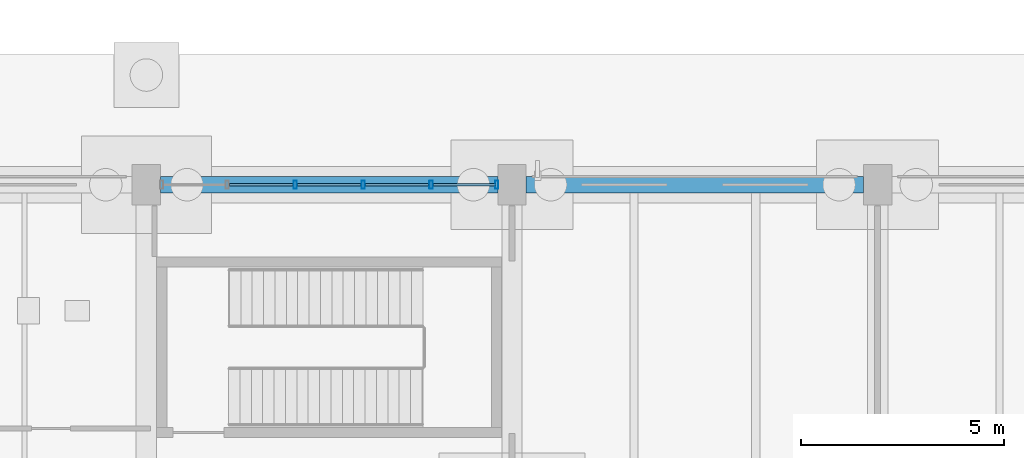
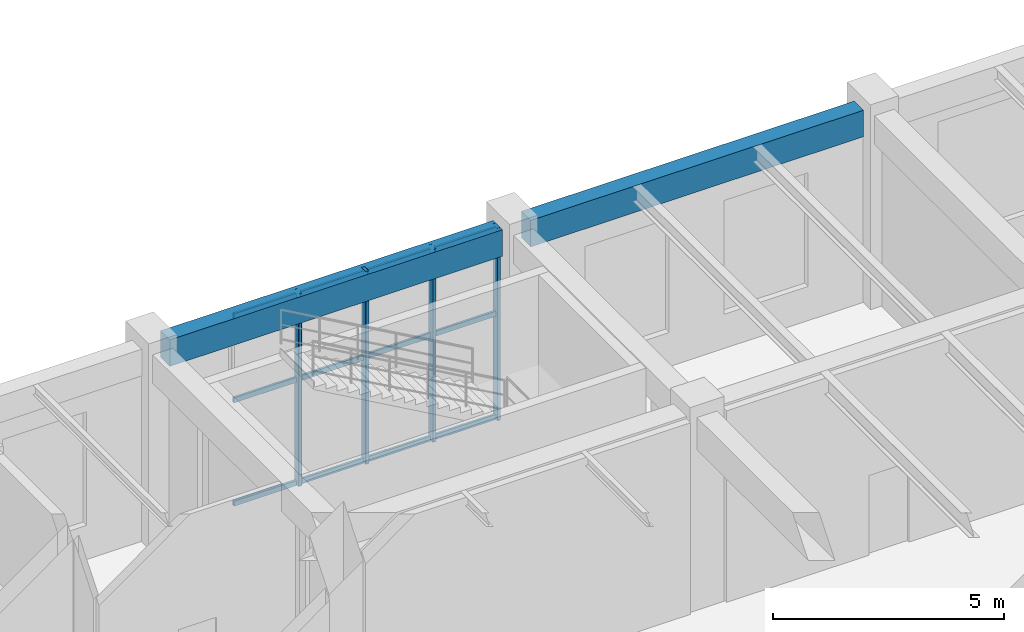
# One storey, part 42 of 121: 16 members, 2 beams, 1 element without a shape of its own.
"""IFC4 building model written with IfcOpenShell, lengths in metres."""

from ifc_helpers import new_model, si_unit, derived_unit, direction, frame, origin, origin_2d, place, context, subcontext, project, spatial, rectangle, hollow_rectangle, extrude, material, material_profile, profile_set, type_object, element, aggregate, save


model = new_model("IFC4")

# Units and contexts
model_context = context("Model", 3, precision=1e-05, world=origin(), true_north=direction((0.0, 1.0)))
body_context = subcontext(model_context, "Body", "Model", "MODEL_VIEW")
ifc_project = project(units=[si_unit("LENGTHUNIT", "METRE"), si_unit("AREAUNIT", "SQUARE_METRE"), si_unit("VOLUMEUNIT", "CUBIC_METRE"), si_unit("PLANEANGLEUNIT", "RADIAN"), si_unit("MASSUNIT", "GRAM", prefix="KILO"), derived_unit("THERMALTRANSMITTANCEUNIT", [(si_unit("MASSUNIT", "GRAM", prefix="KILO"), 1), (si_unit("TIMEUNIT", "SECOND"), -3), (si_unit("THERMODYNAMICTEMPERATUREUNIT", "KELVIN"), -1)])], contexts=[model_context])

# Site, building, storey
site_placement = place(None, origin())
site = spatial("IfcSite", under=ifc_project, at=site_placement, CompositionType="ELEMENT")
building_placement = place(site_placement, origin())
building = spatial("IfcBuilding", under=site, at=building_placement, Name="Zhenchuan Archway Interchange", CompositionType="ELEMENT")
storey_placement = place(building_placement, origin())
storey = spatial("IfcBuildingStorey", under=building, at=storey_placement, Name="L00", CompositionType="ELEMENT", Elevation=0.0)

# Curtain wall, members
ifc_material_1 = material(Name="Anodised Aluminium", Category="aluminium")
curtain_wall_type = type_object("IfcCurtainWallType", Name="CW_UNIT_2", PredefinedType="NOTDEFINED", material=ifc_material_1)
curtain_wall_placement = place(storey_placement, origin())
curtain_wall = element("IfcCurtainWall", 1, at=curtain_wall_placement, inside=storey, type_object=curtain_wall_type, Name="Unitised curtain wall CW:L00:005", PredefinedType="NOTDEFINED")
ifc_material_profile_1 = material_profile(ifc_material_1, hollow_rectangle(XDim=0.080078125, YDim=0.199951171875, WallThickness=0.00439453125, InnerFilletRadius=0.00439453125, OuterFilletRadius=0.009033203125, at=origin_2d()), Name="ALU 200x80x4.5")
ifc_profile_set_1 = profile_set([ifc_material_profile_1], Name="Anodised Aluminium")
member_type_1 = type_object("IfcMemberType", Name="CW_MUL_200", PredefinedType="MULLION", material=ifc_profile_set_1)
member_1_placement = place(storey_placement, frame((30.66357421875, 112.0, 0.0), z_axis=(0.0, 0.0, 1.0), x_axis=(1.0, 0.0, 0.0)))
member_1 = element("IfcMember", 2, at=member_1_placement, type_object=member_type_1, Name="CW:L00:005 mullion 2", PredefinedType="MULLION", context=body_context, shape_type="SweptSolid", body=[
    extrude(hollow_rectangle(XDim=0.080078125, YDim=0.199951171875, WallThickness=0.00439453125, InnerFilletRadius=0.00439453125, OuterFilletRadius=0.009033203125, at=origin_2d()), origin(), (0.0, 0.0, 1.0), 5.080078125),
])
member_2_placement = place(storey_placement, frame((32.33642578125, 112.0, 0.0), z_axis=(0.0, 0.0, 1.0), x_axis=(1.0, 0.0, 0.0)))
member_2 = element("IfcMember", 3, at=member_2_placement, type_object=member_type_1, Name="CW:L00:005 mullion 3", PredefinedType="MULLION", context=body_context, shape_type="SweptSolid", body=[
    extrude(hollow_rectangle(XDim=0.080078125, YDim=0.199951171875, WallThickness=0.00439453125, InnerFilletRadius=0.00439453125, OuterFilletRadius=0.009033203125, at=origin_2d()), origin(), (0.0, 0.0, 1.0), 5.080078125),
])
member_3_placement = place(storey_placement, frame((34.00927734375, 112.0, 0.0), z_axis=(0.0, 0.0, 1.0), x_axis=(1.0, 0.0, 0.0)))
member_3 = element("IfcMember", 4, at=member_3_placement, type_object=member_type_1, Name="CW:L00:005 mullion 4", PredefinedType="MULLION", context=body_context, shape_type="SweptSolid", body=[
    extrude(hollow_rectangle(XDim=0.080078125, YDim=0.199951171875, WallThickness=0.00439453125, InnerFilletRadius=0.00439453125, OuterFilletRadius=0.009033203125, at=origin_2d()), origin(), (0.0, 0.0, 1.0), 5.080078125),
])
member_4_placement = place(storey_placement, frame((35.6220703125, 112.0, 0.0), z_axis=(0.0, 0.0, 1.0), x_axis=(1.0, 0.0, 0.0)))
member_4 = element("IfcMember", 5, at=member_4_placement, type_object=member_type_1, Name="CW:L00:005 mullion 5", PredefinedType="MULLION", context=body_context, shape_type="SweptSolid", body=[
    extrude(hollow_rectangle(XDim=0.080078125, YDim=0.199951171875, WallThickness=0.00439453125, InnerFilletRadius=0.00439453125, OuterFilletRadius=0.009033203125, at=origin_2d()), origin(), (0.0, 0.0, 1.0), 5.080078125),
])
ifc_material_profile_2 = material_profile(ifc_material_1, hollow_rectangle(XDim=0.06005859375, YDim=0.139892578125, WallThickness=0.00341796875, InnerFilletRadius=0.00341796875, OuterFilletRadius=0.007080078125, at=origin_2d()), Name="ALU 140x60x3.5")
ifc_profile_set_2 = profile_set([ifc_material_profile_2], Name="Anodised Aluminium")
member_type_2 = type_object("IfcMemberType", Name="CW_TRN_140", PredefinedType="USERDEFINED", material=ifc_profile_set_2)
member_5_placement = place(storey_placement, frame((29.05078125, 112.0, 0.06005859375), z_axis=(1.0, 0.0, 0.0), x_axis=(0.0, 1.0, 0.0)))
member_5 = element("IfcMember", 6, at=member_5_placement, type_object=member_type_2, Name="CW:L00:005 transom 1-1", ObjectType="TRANSOM", PredefinedType="USERDEFINED", context=body_context, shape_type="SweptSolid", body=[
    extrude(hollow_rectangle(XDim=0.06005859375, YDim=0.139892578125, WallThickness=0.00341796875, InnerFilletRadius=0.00341796875, OuterFilletRadius=0.007080078125, at=origin_2d()), origin(), (0.0, 0.0, 1.0), 1.552734375),
])
member_6_placement = place(storey_placement, frame((29.05078125, 112.0, 2.782958984375), z_axis=(1.0, 0.0, 0.0), x_axis=(0.0, 1.0, 0.0)))
member_6 = element("IfcMember", 7, at=member_6_placement, type_object=member_type_2, Name="CW:L00:005 transom 1-2", ObjectType="TRANSOM", PredefinedType="USERDEFINED", context=body_context, shape_type="SweptSolid", body=[
    extrude(hollow_rectangle(XDim=0.06005859375, YDim=0.139892578125, WallThickness=0.00341796875, InnerFilletRadius=0.00341796875, OuterFilletRadius=0.007080078125, at=origin_2d()), origin(), (0.0, 0.0, 1.0), 1.552734375),
])
member_7_placement = place(storey_placement, frame((29.05078125, 112.0, 5.0), z_axis=(1.0, 0.0, 0.0), x_axis=(0.0, 1.0, 0.0)))
member_7 = element("IfcMember", 8, at=member_7_placement, type_object=member_type_2, Name="CW:L00:005 transom 1-3", ObjectType="TRANSOM", PredefinedType="USERDEFINED", context=body_context, shape_type="SweptSolid", body=[
    extrude(hollow_rectangle(XDim=0.06005859375, YDim=0.139892578125, WallThickness=0.00341796875, InnerFilletRadius=0.00341796875, OuterFilletRadius=0.007080078125, at=origin_2d()), origin(), (0.0, 0.0, 1.0), 1.552734375),
])
member_8_placement = place(storey_placement, frame((30.7236328125, 112.0, 0.06005859375), z_axis=(1.0, 0.0, 0.0), x_axis=(0.0, 1.0, 0.0)))
member_8 = element("IfcMember", 9, at=member_8_placement, type_object=member_type_2, Name="CW:L00:005 transom 2-1", ObjectType="TRANSOM", PredefinedType="USERDEFINED", context=body_context, shape_type="SweptSolid", body=[
    extrude(hollow_rectangle(XDim=0.06005859375, YDim=0.139892578125, WallThickness=0.00341796875, InnerFilletRadius=0.00341796875, OuterFilletRadius=0.007080078125, at=origin_2d()), origin(), (0.0, 0.0, 1.0), 1.552734375),
])
member_9_placement = place(storey_placement, frame((30.7236328125, 112.0, 2.782958984375), z_axis=(1.0, 0.0, 0.0), x_axis=(0.0, 1.0, 0.0)))
member_9 = element("IfcMember", 10, at=member_9_placement, type_object=member_type_2, Name="CW:L00:005 transom 2-2", ObjectType="TRANSOM", PredefinedType="USERDEFINED", context=body_context, shape_type="SweptSolid", body=[
    extrude(hollow_rectangle(XDim=0.06005859375, YDim=0.139892578125, WallThickness=0.00341796875, InnerFilletRadius=0.00341796875, OuterFilletRadius=0.007080078125, at=origin_2d()), origin(), (0.0, 0.0, 1.0), 1.552734375),
])
member_10_placement = place(storey_placement, frame((30.7236328125, 112.0, 5.0), z_axis=(1.0, 0.0, 0.0), x_axis=(0.0, 1.0, 0.0)))
member_10 = element("IfcMember", 11, at=member_10_placement, type_object=member_type_2, Name="CW:L00:005 transom 2-3", ObjectType="TRANSOM", PredefinedType="USERDEFINED", context=body_context, shape_type="SweptSolid", body=[
    extrude(hollow_rectangle(XDim=0.06005859375, YDim=0.139892578125, WallThickness=0.00341796875, InnerFilletRadius=0.00341796875, OuterFilletRadius=0.007080078125, at=origin_2d()), origin(), (0.0, 0.0, 1.0), 1.552734375),
])
member_11_placement = place(storey_placement, frame((32.396484375, 112.0, 0.06005859375), z_axis=(1.0, 0.0, 0.0), x_axis=(0.0, 1.0, 0.0)))
member_11 = element("IfcMember", 12, at=member_11_placement, type_object=member_type_2, Name="CW:L00:005 transom 3-1", ObjectType="TRANSOM", PredefinedType="USERDEFINED", context=body_context, shape_type="SweptSolid", body=[
    extrude(hollow_rectangle(XDim=0.06005859375, YDim=0.139892578125, WallThickness=0.00341796875, InnerFilletRadius=0.00341796875, OuterFilletRadius=0.007080078125, at=origin_2d()), origin(), (0.0, 0.0, 1.0), 1.552734375),
])
member_12_placement = place(storey_placement, frame((32.396484375, 112.0, 2.782958984375), z_axis=(1.0, 0.0, 0.0), x_axis=(0.0, 1.0, 0.0)))
member_12 = element("IfcMember", 13, at=member_12_placement, type_object=member_type_2, Name="CW:L00:005 transom 3-2", ObjectType="TRANSOM", PredefinedType="USERDEFINED", context=body_context, shape_type="SweptSolid", body=[
    extrude(hollow_rectangle(XDim=0.06005859375, YDim=0.139892578125, WallThickness=0.00341796875, InnerFilletRadius=0.00341796875, OuterFilletRadius=0.007080078125, at=origin_2d()), origin(), (0.0, 0.0, 1.0), 1.552734375),
])
member_13_placement = place(storey_placement, frame((32.396484375, 112.0, 5.0), z_axis=(1.0, 0.0, 0.0), x_axis=(0.0, 1.0, 0.0)))
member_13 = element("IfcMember", 14, at=member_13_placement, type_object=member_type_2, Name="CW:L00:005 transom 3-3", ObjectType="TRANSOM", PredefinedType="USERDEFINED", context=body_context, shape_type="SweptSolid", body=[
    extrude(hollow_rectangle(XDim=0.06005859375, YDim=0.139892578125, WallThickness=0.00341796875, InnerFilletRadius=0.00341796875, OuterFilletRadius=0.007080078125, at=origin_2d()), origin(), (0.0, 0.0, 1.0), 1.552734375),
])
member_14_placement = place(storey_placement, frame((34.069091796875, 112.0, 0.06005859375), z_axis=(1.0, 0.0, 0.0), x_axis=(0.0, 1.0, 0.0)))
member_14 = element("IfcMember", 15, at=member_14_placement, type_object=member_type_2, Name="CW:L00:005 transom 4-1", ObjectType="TRANSOM", PredefinedType="USERDEFINED", context=body_context, shape_type="SweptSolid", body=[
    extrude(hollow_rectangle(XDim=0.06005859375, YDim=0.139892578125, WallThickness=0.00341796875, InnerFilletRadius=0.00341796875, OuterFilletRadius=0.007080078125, at=origin_2d()), origin(), (0.0, 0.0, 1.0), 1.532958984375),
])
member_15_placement = place(storey_placement, frame((34.069091796875, 112.0, 2.782958984375), z_axis=(1.0, 0.0, 0.0), x_axis=(0.0, 1.0, 0.0)))
member_15 = element("IfcMember", 16, at=member_15_placement, type_object=member_type_2, Name="CW:L00:005 transom 4-2", ObjectType="TRANSOM", PredefinedType="USERDEFINED", context=body_context, shape_type="SweptSolid", body=[
    extrude(hollow_rectangle(XDim=0.06005859375, YDim=0.139892578125, WallThickness=0.00341796875, InnerFilletRadius=0.00341796875, OuterFilletRadius=0.007080078125, at=origin_2d()), origin(), (0.0, 0.0, 1.0), 1.532958984375),
])
member_16_placement = place(storey_placement, frame((34.069091796875, 112.0, 5.0), z_axis=(1.0, 0.0, 0.0), x_axis=(0.0, 1.0, 0.0)))
member_16 = element("IfcMember", 17, at=member_16_placement, type_object=member_type_2, Name="CW:L00:005 transom 4-3", ObjectType="TRANSOM", PredefinedType="USERDEFINED", context=body_context, shape_type="SweptSolid", body=[
    extrude(hollow_rectangle(XDim=0.06005859375, YDim=0.139892578125, WallThickness=0.00341796875, InnerFilletRadius=0.00341796875, OuterFilletRadius=0.007080078125, at=origin_2d()), origin(), (0.0, 0.0, 1.0), 1.532958984375),
])
aggregate(curtain_wall, [member_1, member_2, member_3, member_4, member_5, member_6, member_7, member_8, member_9, member_10, member_11, member_12, member_13, member_14, member_15, member_16])

# Beams
ifc_material_2 = material(Name="Concrete C40", Category="concrete")
ifc_material_profile_3 = material_profile(ifc_material_2, rectangle(XDim=0.39990234375, YDim=0.699951171875, at=origin_2d()), Name="RC 400x700")
ifc_profile_set_3 = profile_set([ifc_material_profile_3], Name="Concrete C40")
beam_type = type_object("IfcBeamType", Name="SP_RC_400x700", PredefinedType="SPANDREL", material=ifc_profile_set_3)
for number, where, z_axis, x_axis, name in (
    (18, (27.35009765625, 112.0, 4.72998046875), (1.0, 0.0, 0.0), (0.0, 1.0, 0.0), "Beam P:4-5 (L00)"),
    (19, (36.35009765625, 112.0, 4.72998046875), (1.0, 0.0, 0.0), (0.0, 1.0, 0.0), "Beam P:5-6 (L00)"),
):
    element("IfcBeam", number, at=place(storey_placement, frame(where, z_axis=z_axis, x_axis=x_axis)), inside=storey, type_object=beam_type, Name=name, PredefinedType="SPANDREL", context=body_context, shape_type="SweptSolid", body=[
        extrude(rectangle(XDim=0.39990234375, YDim=0.699951171875, at=origin_2d()), origin(), (0.0, 0.0, 1.0), 8.2998046875),
    ])

save(model, "model.ifc")
